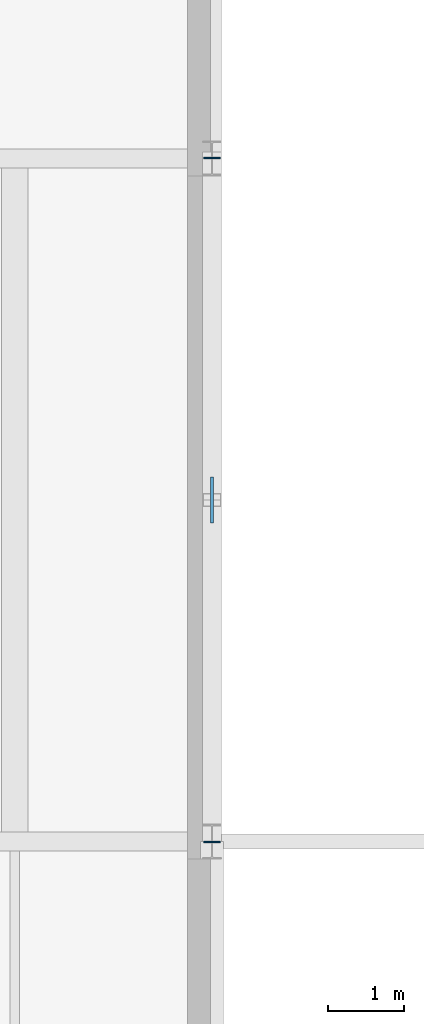
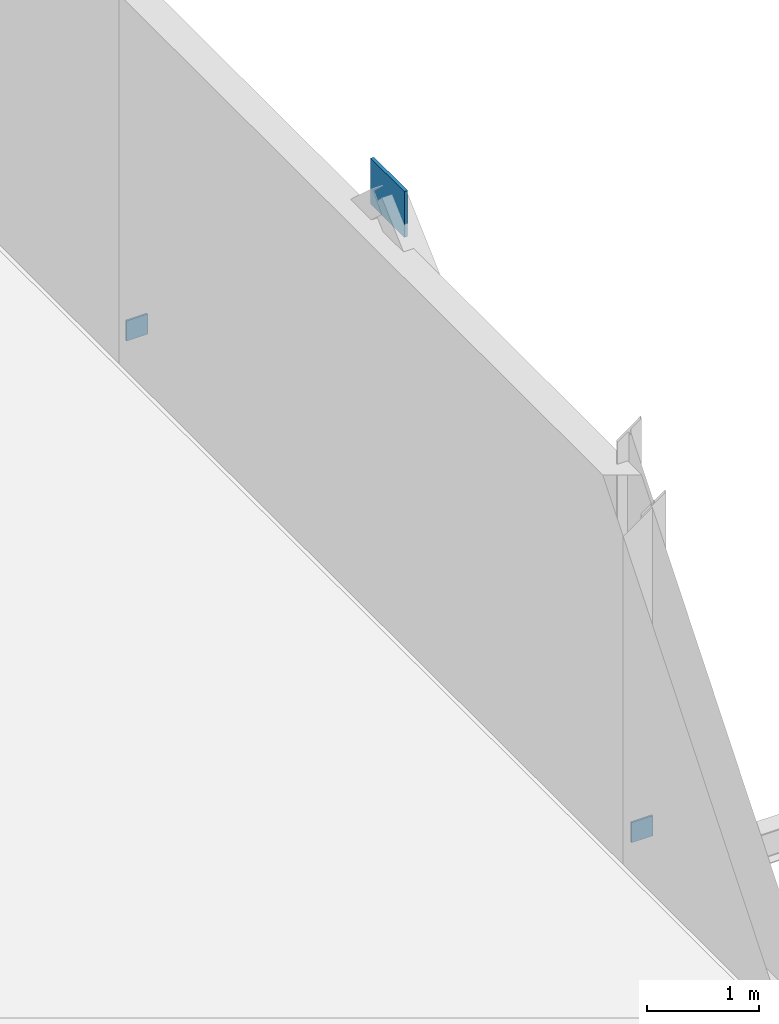
# One storey, part 105 of 127: 3 plates.
"""IFC4 building model written with IfcOpenShell, lengths in metres."""

from ifc_helpers import new_model, si_unit, derived_unit, direction, frame, origin, origin_2d, place, context, subcontext, project, spatial, rectangle, extrude, material, layer, layer_set, type_object, element, save


model = new_model("IFC4")

# Units and contexts
model_context = context("Model", 3, precision=1e-05, world=origin(), true_north=direction((0.0, 1.0)))
body_context = subcontext(model_context, "Body", "Model", "MODEL_VIEW")
ifc_project = project(units=[si_unit("LENGTHUNIT", "METRE"), si_unit("AREAUNIT", "SQUARE_METRE"), si_unit("VOLUMEUNIT", "CUBIC_METRE"), si_unit("PLANEANGLEUNIT", "RADIAN"), si_unit("MASSUNIT", "GRAM", prefix="KILO"), derived_unit("THERMALTRANSMITTANCEUNIT", [(si_unit("POWERUNIT", "WATT"), 1), (si_unit("LENGTHUNIT", "METRE"), -2), (si_unit("THERMODYNAMICTEMPERATUREUNIT", "KELVIN"), -1)])], contexts=[model_context])

# Site, building, storey
site_placement = place(None, origin())
site = spatial("IfcSite", under=ifc_project, at=site_placement, CompositionType="ELEMENT")
building_placement = place(site_placement, origin())
building = spatial("IfcBuilding", under=site, at=building_placement, Name="Nallur Shell Playhouse", CompositionType="ELEMENT")
storey_placement = place(building_placement, frame((0.0, 0.0, 5.39990234375)))
storey = spatial("IfcBuildingStorey", under=building, at=storey_placement, Name="L02", CompositionType="ELEMENT", Elevation=5.39990234375)

# Plates
ifc_material = material(Name="Steel E350", Category="steel")
ifc_layer_1 = layer(ifc_material, 0.02001953125)
ifc_layer_set_1 = layer_set([ifc_layer_1], Name="Steel E350")
plate_type_1 = type_object("IfcPlateType", Name="PT-ENDCAP-20", PredefinedType="SHEET", material=ifc_layer_set_1)
for number, where, z_axis, x_axis, name in (
    (1, (103.0, 55.99267578125, 0.033203125), (0.0, 0.0, 1.0), (1.0, 0.0, 0.0), "Hollow end cap EC-BR-FT-L02-011-0"),
    (2, (103.0, 65.00732421875, 0.033203125), (0.0, 0.0, 1.0), (1.0, 0.0, 0.0), "Hollow end cap EC-BR-FT-L02-012-0"),
):
    element("IfcPlate", number, at=place(storey_placement, frame(where, z_axis=z_axis, x_axis=x_axis)), inside=storey, type_object=plate_type_1, Name=name, PredefinedType="SHEET", context=body_context, shape_type="SweptSolid", body=[
        extrude(rectangle(XDim=0.219970703125, YDim=0.02001953125, at=origin_2d()), origin(), (0.0, 0.0, 1.0), 0.219970703125),
    ])
ifc_layer_2 = layer(ifc_material, 0.034912109375)
ifc_layer_set_2 = layer_set([ifc_layer_2], Name="Steel E350")
plate_type_2 = type_object("IfcPlateType", Name="PT-GUSSET-35", PredefinedType="USERDEFINED", material=ifc_layer_set_2)
plate_placement = place(storey_placement, frame((103.0, 60.5, 4.0400390625), z_axis=(0.0, 0.0, 1.0), x_axis=(1.0, 0.0, 0.0)))
element("IfcPlate", 3, at=plate_placement, inside=storey, type_object=plate_type_2, Name="Fly tower chevron node gusset plate TN-02 (L02)", ObjectType="GUSSET PLATE", PredefinedType="USERDEFINED", context=body_context, shape_type="SweptSolid", body=[
    extrude(rectangle(XDim=0.034912109375, YDim=0.60009765625, at=origin_2d()), origin(), (0.0, 0.0, 1.0), 0.5),
])

save(model, "model.ifc")
